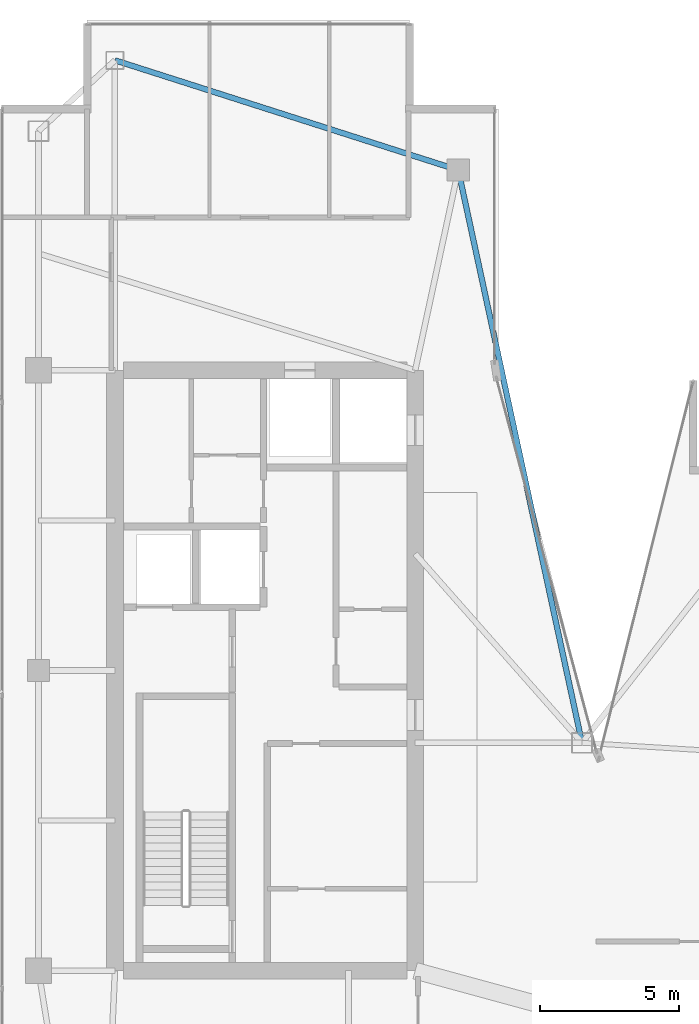
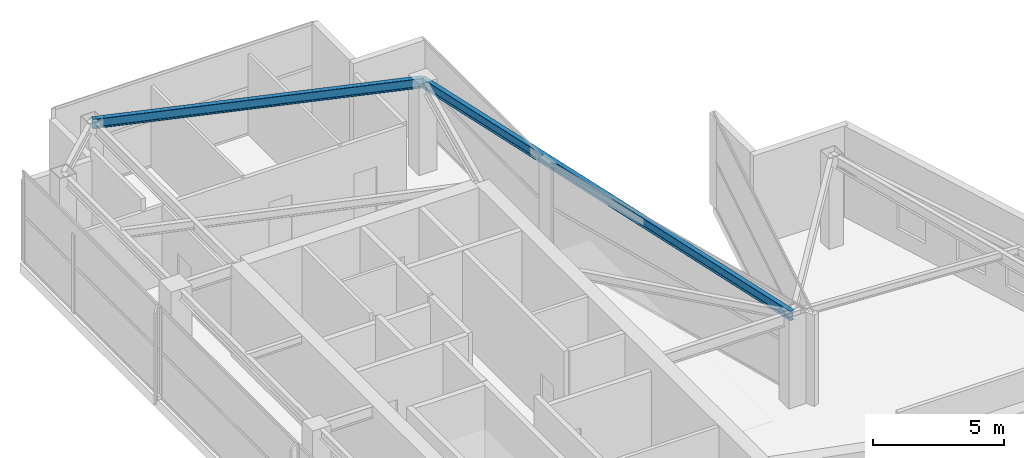
# One storey, part 17 of 25: 2 beams.
"""IFC4 building model written with IfcOpenShell, lengths in metres."""

import ifcopenshell
import ifcopenshell.guid

model = None  # the IFC model being written
_history = None  # IfcOwnerHistory: only IFC2X3 demands one
_inside = {}  # id of a spatial element -> (the spatial element, [elements in it])
_under = {}  # id of a project, library or spatial element -> (it, [spatial elements below it])
_declared = {}  # id of a project -> (the project, [libraries it declares])
_typed = {}  # id of a type object -> (the type object, [elements of that type])
_made_of = {}  # id of a material, layer set ... -> (it, [elements and type objects made of it])


def new_model(schema):
    """Start an empty IFC model of exactly this schema.

    Asked for "IFC4X3", IfcOpenShell would pick the latest addendum, in which some entities
    have other attributes; the version numbers below select the first issue.
    IFC2X3 requires an IfcOwnerHistory on every rooted entity: one is made here for all.
    """
    global model, _history
    if schema == "IFC4X3":
        model = ifcopenshell.file(schema_version=(4, 3, 0, 0))
    else:
        model = ifcopenshell.file(schema=schema)
    _inside.clear()
    _under.clear()
    _declared.clear()
    _typed.clear()
    _made_of.clear()
    _history = None
    if model.schema == "IFC2X3":
        org = make("IfcOrganization", Name="unknown")
        user = make(
            "IfcPersonAndOrganization",
            ThePerson=make("IfcPerson", FamilyName="unknown"),
            TheOrganization=org,
        )
        app = make(
            "IfcApplication",
            ApplicationDeveloper=org,
            Version="unknown",
            ApplicationFullName="unknown",
            ApplicationIdentifier="unknown",
        )
        _history = make(
            "IfcOwnerHistory",
            OwningUser=user,
            OwningApplication=app,
            ChangeAction="ADDED",
            CreationDate=0,
        )
    return model


def make(cls, **values):
    """One entity of the class cls with the attributes given. An attribute that is None is left unset."""
    return model.create_entity(
        cls, **{name: value for name, value in values.items() if value is not None}
    )


def rooted(cls, **values):
    """An entity with a GlobalId (a new one), such as an element, a storey or a relation."""
    return make(cls, GlobalId=ifcopenshell.guid.new(), OwnerHistory=_history, **values)


def si_unit(unit_type, name, prefix=None):
    """IfcSIUnit, for example si_unit("LENGTHUNIT", "METRE", prefix="MILLI")."""
    return make("IfcSIUnit", UnitType=unit_type, Prefix=prefix, Name=name)


def assignment(units):
    """IfcUnitAssignment: the units of a project."""
    return None if units is None else make("IfcUnitAssignment", Units=units)


def point(xyz):
    """IfcCartesianPoint."""
    return None if xyz is None else make("IfcCartesianPoint", Coordinates=xyz)


def direction(xyz):
    """IfcDirection."""
    return None if xyz is None else make("IfcDirection", DirectionRatios=xyz)


def frame(location, z_axis=None, x_axis=None):
    """IfcAxis2Placement3D, a coordinate frame: its origin and axes. An axis left out is left unset."""
    return make(
        "IfcAxis2Placement3D",
        Location=point(location),
        Axis=direction(z_axis),
        RefDirection=direction(x_axis),
    )


def frame_2d(location, x_axis=None):
    """IfcAxis2Placement2D, a coordinate frame in the plane: its origin and x axis."""
    return make(
        "IfcAxis2Placement2D", Location=point(location), RefDirection=direction(x_axis)
    )


def origin():
    """The frame at (0, 0, 0) with its axes left unset."""
    return frame((0.0, 0.0, 0.0))


def origin_2d():
    """The frame at (0, 0) in the plane with its x axis left unset."""
    return frame_2d((0.0, 0.0))


def place(relative_to, where):
    """IfcLocalPlacement: puts the frame where relative to a parent placement (None: the world)."""
    return make(
        "IfcLocalPlacement", PlacementRelTo=relative_to, RelativePlacement=where
    )


def context(
    kind, dimensions, precision=None, world=None, true_north=None, identifier=None
):
    """IfcGeometricRepresentationContext, for example the 3D "Model" context."""
    return make(
        "IfcGeometricRepresentationContext",
        ContextIdentifier=identifier,
        ContextType=kind,
        CoordinateSpaceDimension=dimensions,
        Precision=precision,
        WorldCoordinateSystem=world,
        TrueNorth=true_north,
    )


def subcontext(parent, identifier, kind, view, scale=None):
    """IfcGeometricRepresentationSubContext, for example "Body" below "Model"."""
    return make(
        "IfcGeometricRepresentationSubContext",
        ContextIdentifier=identifier,
        ContextType=kind,
        ParentContext=parent,
        TargetScale=scale,
        TargetView=view,
    )


def project(units=None, contexts=None):
    """IfcProject with its units and contexts."""
    return rooted(
        "IfcProject",
        Name="project",
        RepresentationContexts=contexts,
        UnitsInContext=assignment(units),
    )


def spatial(cls, under=None, at=None, **own):
    """A site, building, storey or space (cls), placed at a placement, below another one or the project."""
    s = rooted(cls, ObjectPlacement=at, **own)
    if under is not None:
        _under.setdefault(under.id(), (under, []))[1].append(s)
    return s


def profile(cls, at=None, kind="AREA", **sizes):
    """A parametric profile (cls). Its sizes go by their IFC names, for example OverallWidth=200.0."""
    return make(cls, ProfileType=kind, Position=at, **sizes)


def i_section(**sizes):
    """IfcIShapeProfileDef."""
    return profile("IfcIShapeProfileDef", **sizes)


def extrude(swept, where, along, depth):
    """IfcExtrudedAreaSolid: the profile swept, set in the frame where, extruded along a direction by depth."""
    return make(
        "IfcExtrudedAreaSolid",
        SweptArea=swept,
        Position=where,
        ExtrudedDirection=direction(along),
        Depth=depth,
    )


def shape(context_of_items, identifier, shape_type, items):
    """IfcShapeRepresentation: the items that make up one representation, for example the "Body"."""
    return make(
        "IfcShapeRepresentation",
        ContextOfItems=context_of_items,
        RepresentationIdentifier=identifier,
        RepresentationType=shape_type,
        Items=items,
    )


def material(Name=None, Category=None):
    """IfcMaterial."""
    return make("IfcMaterial", Name=Name, Category=Category)


def material_profile(
    of_material, cross_section, Name=None, Category=None, Priority=None
):
    """IfcMaterialProfile: a cross section and its material."""
    return make(
        "IfcMaterialProfile",
        Name=Name,
        Material=of_material,
        Profile=cross_section,
        Priority=Priority,
        Category=Category,
    )


def profile_set(profiles, Name=None, composite=None):
    """IfcMaterialProfileSet."""
    return make(
        "IfcMaterialProfileSet",
        Name=Name,
        MaterialProfiles=profiles,
        CompositeProfile=composite,
    )


def made_of(thing, what):
    """Note that an element or type object is made of a material, layer set ...; save() writes the relation."""
    if what is not None:
        _made_of.setdefault(what.id(), (what, []))[1].append(thing)
    return thing


def type_object(cls, material=None, **own):
    """A type object (cls), such as IfcWallType, which elements share."""
    return made_of(rooted(cls, **own), material)


def element(
    cls,
    number,
    at=None,
    inside=None,
    cuts=None,
    type_object=None,
    material=None,
    context=None,
    identifier="Body",
    shape_type=None,
    held_by="IfcProductDefinitionShape",
    body=None,
    shapes=None,
    **own,
):
    """One element of the class cls, such as IfcWall. Its Tag is "e" and its number.

    at: its placement. inside: the storey or other place that contains it. cuts: it is an
    opening in that element (IfcRelVoidsElement). A single representation is given by context,
    identifier, shape_type and body (its items); several are given by shapes. held_by: the class
    of the entity that holds the representations. save() writes the other relations.
    """
    e = rooted(cls, Tag="e%d" % number, ObjectPlacement=at, **own)
    if body is not None:
        shapes = [shape(context, identifier, shape_type, body)]
    if shapes is not None:
        e.Representation = make(held_by, Representations=shapes)
    if inside is not None:
        _inside.setdefault(inside.id(), (inside, []))[1].append(e)
    if cuts is not None:
        rooted(
            "IfcRelVoidsElement", RelatingBuildingElement=cuts, RelatedOpeningElement=e
        )
    if type_object is not None:
        _typed.setdefault(type_object.id(), (type_object, []))[1].append(e)
    return made_of(e, material)


def aggregate(whole, parts):
    """IfcRelAggregates: a whole, such as a stair, and the parts it consists of."""
    return rooted("IfcRelAggregates", RelatingObject=whole, RelatedObjects=parts)


def save(model, path):
    """Write the relations noted so far, then the file.

    IfcRelAggregates (storeys below a building ...), IfcRelContainedInSpatialStructure (elements
    in a storey), IfcRelDefinesByType, IfcRelAssociatesMaterial and IfcRelDeclares: one each for
    every whole, place, type object, material and project.
    """
    for whole, parts in _under.values():
        aggregate(whole, parts)
    for where, things in _inside.values():
        rooted(
            "IfcRelContainedInSpatialStructure",
            RelatedElements=things,
            RelatingStructure=where,
        )
    for kind, things in _typed.values():
        rooted("IfcRelDefinesByType", RelatedObjects=things, RelatingType=kind)
    for what, things in _made_of.values():
        rooted("IfcRelAssociatesMaterial", RelatedObjects=things, RelatingMaterial=what)
    for by, libraries in _declared.values():
        rooted("IfcRelDeclares", RelatingContext=by, RelatedDefinitions=libraries)
    model.write(path)


model = new_model("IFC4")

# Units and contexts
model_context = context("Model", 3, precision=1e-05, world=origin(), true_north=direction((0.0, 1.0)))
body_context = subcontext(model_context, "Body", "Model", "MODEL_VIEW")
ifc_project = project(units=[si_unit("LENGTHUNIT", "METRE"), si_unit("AREAUNIT", "SQUARE_METRE"), si_unit("VOLUMEUNIT", "CUBIC_METRE"), si_unit("PLANEANGLEUNIT", "RADIAN"), si_unit("MASSUNIT", "GRAM", prefix="KILO")], contexts=[model_context])

# Site, building, storey
site_placement = place(None, origin())
site = spatial("IfcSite", under=ifc_project, at=site_placement, CompositionType="ELEMENT")
building_placement = place(site_placement, origin())
building = spatial("IfcBuilding", under=site, at=building_placement, Name="Calvorn Quay Hotel", CompositionType="ELEMENT")
storey_placement = place(building_placement, frame((0.0, 0.0, 307.0)))
storey = spatial("IfcBuildingStorey", under=building, at=storey_placement, Name="L76", CompositionType="ELEMENT", Elevation=307.0)

# Beams
ifc_material = material(Name="Steel Q355B", Category="steel")
ifc_material_profile = material_profile(ifc_material, i_section(OverallWidth=0.199951171875, OverallDepth=0.449951171875, WebThickness=0.009033203125, FlangeThickness=0.013916015625, FilletRadius=0.01611328125, at=origin_2d()), Name="HN450x200x9x14")
ifc_profile_set = profile_set([ifc_material_profile], Name="Steel Q355B")
beam_type = type_object("IfcBeamType", Name="BM-SPANDREL-Z3", PredefinedType="SPANDREL", material=ifc_profile_set)
beam_1_placement = place(storey_placement, frame((4.199951171875, 49.550048828125, 4.014892578125), z_axis=(0.952470702374, -0.304630203885, 0.0), x_axis=(0.304630203885, 0.952470702374, 0.0)))
element("IfcBeam", 1, at=beam_1_placement, inside=storey, type_object=beam_type, Name="Beam BSP-L76-W6", PredefinedType="SPANDREL", context=body_context, shape_type="SweptSolid", body=[
    extrude(i_section(OverallWidth=0.199951171875, OverallDepth=0.449951171875, WebThickness=0.009033203125, FlangeThickness=0.013916015625, FilletRadius=0.01611328125, at=origin_2d()), origin(), (0.0, 0.0, 1.0), 12.96630859375),
])
beam_2_placement = place(storey_placement, frame((16.550048828125, 45.60009765625, 4.014892578125), z_axis=(0.211145848376, -0.977454567084, 0.0), x_axis=(0.977454567084, 0.211145848376, 0.0)))
element("IfcBeam", 2, at=beam_2_placement, inside=storey, type_object=beam_type, Name="Beam BSP-L76-W7", PredefinedType="SPANDREL", context=body_context, shape_type="SweptSolid", body=[
    extrude(i_section(OverallWidth=0.199951171875, OverallDepth=0.449951171875, WebThickness=0.009033203125, FlangeThickness=0.013916015625, FilletRadius=0.01611328125, at=origin_2d()), origin(), (0.0, 0.0, 1.0), 21.0751953125),
])

save(model, "model.ifc")
